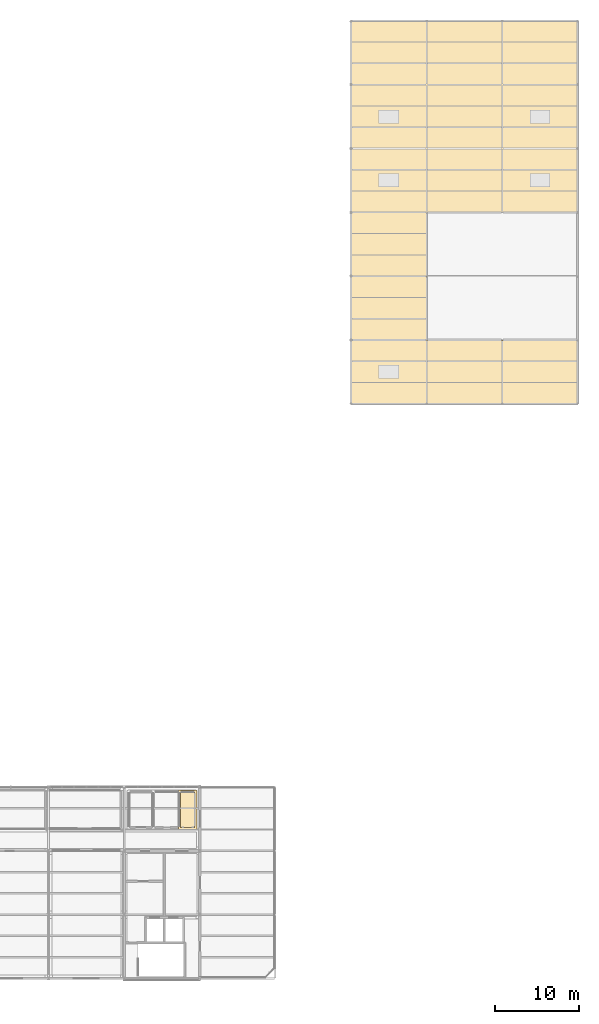
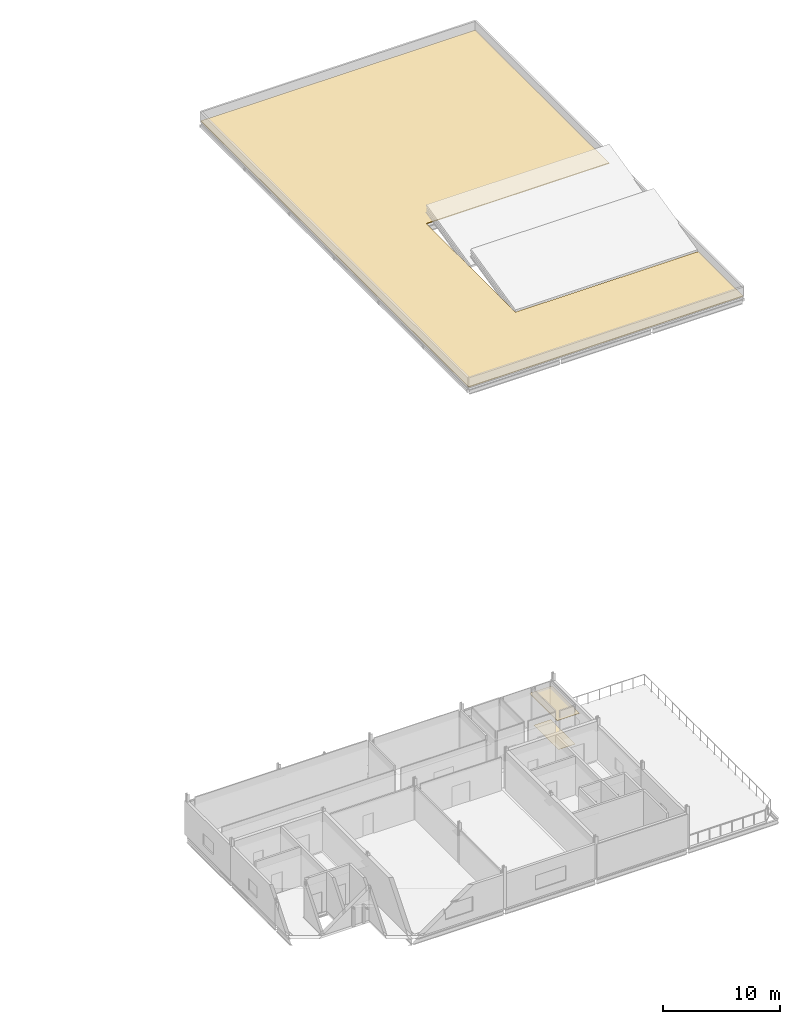
# One storey, part 24 of 24: 3 coverings.
"""IFC4 building model written with IfcOpenShell, lengths in metres."""

from ifc_helpers import new_model, si_unit, direction, frame, origin, place, context, subcontext, project, spatial, polyline, outline, extrude, material, layer, layer_set, type_object, element, save


model = new_model("IFC4")

# Units and contexts
model_context = context("Model", 3, precision=1e-05, world=origin(), true_north=direction((0.0, 1.0)))
body_context = subcontext(model_context, "Body", "Model", "MODEL_VIEW")
ifc_project = project(units=[si_unit("LENGTHUNIT", "METRE"), si_unit("AREAUNIT", "SQUARE_METRE"), si_unit("VOLUMEUNIT", "CUBIC_METRE"), si_unit("PLANEANGLEUNIT", "RADIAN"), si_unit("MASSUNIT", "GRAM", prefix="KILO")], contexts=[model_context])

# Site, building, storey
site_placement = place(None, origin())
site = spatial("IfcSite", under=ifc_project, at=site_placement, CompositionType="ELEMENT")
building_placement = place(site_placement, origin())
building = spatial("IfcBuilding", under=site, at=building_placement, Name="Caisbarro Railhouse Central Library", CompositionType="ELEMENT")
storey_placement = place(building_placement, frame((0.0, 0.0, 22.320068359375)))
storey = spatial("IfcBuildingStorey", under=building, at=storey_placement, Name="L05", CompositionType="ELEMENT", Elevation=22.320068359375)

# Coverings
ifc_material_1 = material(Name="Perforated mineral-fibre acoustic ceiling tile")
ifc_layer_1 = layer(ifc_material_1, 0.01806640625, Name="Perforated mineral-fibre acoustic ceiling tile")
ifc_layer_set_1 = layer_set([ifc_layer_1], Name="Perforated mineral-fibre acoustic ceiling tile")
covering_type_1 = type_object("IfcCoveringType", Name="COV-CL01", PredefinedType="CEILING", material=ifc_layer_set_1)
covering_1_placement = place(storey_placement, frame((0.0, 0.0, 3.25)))
element("IfcCovering", 1, at=covering_1_placement, inside=storey, type_object=covering_type_1, Name="CL01 acoustic ceiling Accessible WC L05-V5", PredefinedType="CEILING", context=body_context, shape_type="SweptSolid", body=[
    extrude(outline(polyline([(96.471923828125, 22.4599609375), (98.56005859375, 22.4599609375), (98.56005859375, 22.360107421875), (98.659912109375, 22.360107421875), (98.659912109375, 17.739990234375), (96.471923828125, 17.739990234375), (96.471923828125, 22.4599609375)])), origin(), (0.0, 0.0, 1.0), 0.017822265625),
])
ifc_material_2 = material(Name="Heavy-duty acoustic linoleum flooring")
ifc_layer_2 = layer(ifc_material_2, 0.011962890625, Name="Heavy-duty acoustic linoleum flooring")
ifc_layer_set_2 = layer_set([ifc_layer_2], Name="Heavy-duty acoustic linoleum flooring")
covering_type_2 = type_object("IfcCoveringType", Name="COV-FL02", PredefinedType="FLOORING", material=ifc_layer_set_2)
covering_2_placement = place(storey_placement, origin())
element("IfcCovering", 2, at=covering_2_placement, inside=storey, type_object=covering_type_2, Name="FL02 flooring Accessible WC L05-V5", PredefinedType="FLOORING", context=body_context, shape_type="SweptSolid", body=[
    extrude(outline(polyline([(96.73193359375, 18.0), (98.39990234375, 18.0), (98.39990234375, 22.199951171875), (96.73193359375, 22.199951171875), (96.73193359375, 18.0)])), origin(), (0.0, 0.0, 1.0), 0.011962890625),
])
ifc_material_3 = material(Name="TPO waterproof membrane over PIR insulation")
ifc_layer_3 = layer(ifc_material_3, 0.080078125, Name="TPO waterproof membrane over PIR insulation")
ifc_layer_set_3 = layer_set([ifc_layer_3], Name="TPO waterproof membrane over PIR insulation")
covering_type_3 = type_object("IfcCoveringType", Name="COV-ROOF01", PredefinedType="ROOFING", material=ifc_layer_set_3)
covering_3_placement = place(storey_placement, origin())
element("IfcCovering", 3, at=covering_3_placement, inside=storey, type_object=covering_type_3, Name="V4 Atrium Wing Roof Waterproofing Membrane", PredefinedType="ROOFING", context=body_context, shape_type="SweptSolid", body=[
    extrude(outline(polyline([(117.0, 68.39990234375), (144.0, 68.39990234375), (144.0, 76.0), (126.0, 76.0), (126.0, 91.199951171875), (144.0, 91.199951171875), (144.0, 114.0), (117.0, 114.0), (117.0, 68.39990234375)])), origin(), (0.0, 0.0, 1.0), 0.079833984375),
])

save(model, "model.ifc")
